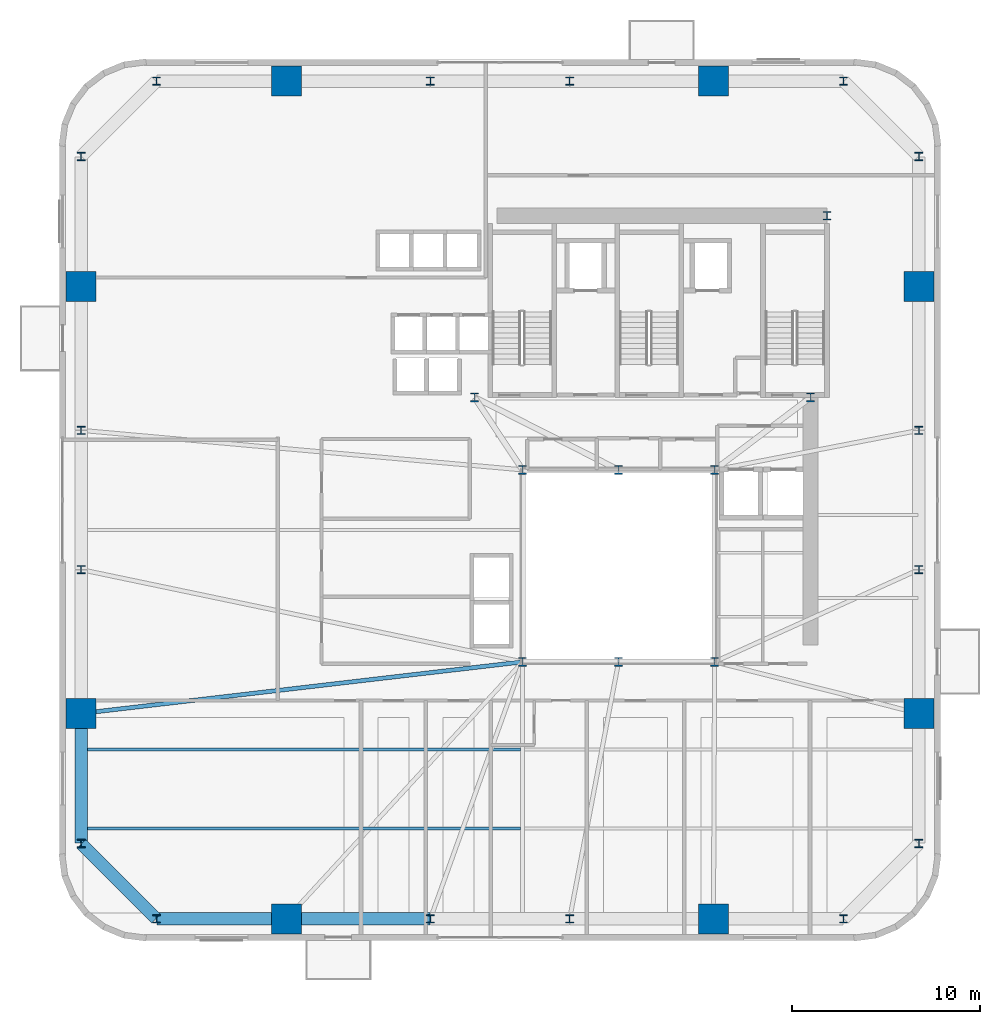
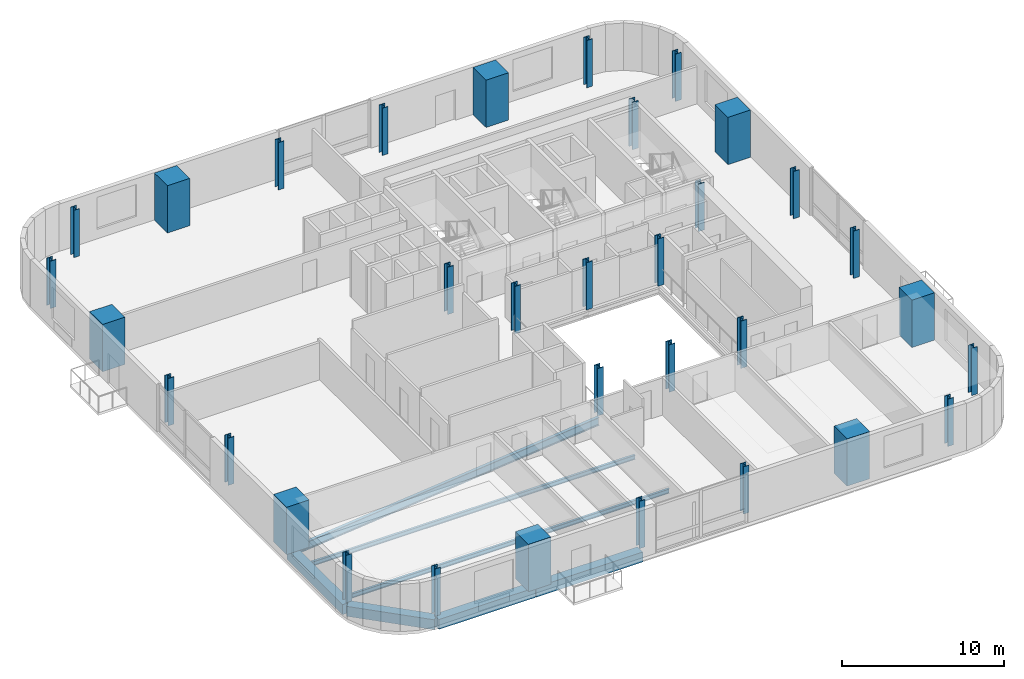
# One storey, part 1 of 14: 33 columns, 7 beams.
"""IFC4 building model written with IfcOpenShell, lengths in metres."""

import ifcopenshell
import ifcopenshell.guid

model = None  # the IFC model being written
_history = None  # IfcOwnerHistory: only IFC2X3 demands one
_inside = {}  # id of a spatial element -> (the spatial element, [elements in it])
_under = {}  # id of a project, library or spatial element -> (it, [spatial elements below it])
_declared = {}  # id of a project -> (the project, [libraries it declares])
_typed = {}  # id of a type object -> (the type object, [elements of that type])
_made_of = {}  # id of a material, layer set ... -> (it, [elements and type objects made of it])


def new_model(schema):
    """Start an empty IFC model of exactly this schema.

    Asked for "IFC4X3", IfcOpenShell would pick the latest addendum, in which some entities
    have other attributes; the version numbers below select the first issue.
    IFC2X3 requires an IfcOwnerHistory on every rooted entity: one is made here for all.
    """
    global model, _history
    if schema == "IFC4X3":
        model = ifcopenshell.file(schema_version=(4, 3, 0, 0))
    else:
        model = ifcopenshell.file(schema=schema)
    _inside.clear()
    _under.clear()
    _declared.clear()
    _typed.clear()
    _made_of.clear()
    _history = None
    if model.schema == "IFC2X3":
        org = make("IfcOrganization", Name="unknown")
        user = make(
            "IfcPersonAndOrganization",
            ThePerson=make("IfcPerson", FamilyName="unknown"),
            TheOrganization=org,
        )
        app = make(
            "IfcApplication",
            ApplicationDeveloper=org,
            Version="unknown",
            ApplicationFullName="unknown",
            ApplicationIdentifier="unknown",
        )
        _history = make(
            "IfcOwnerHistory",
            OwningUser=user,
            OwningApplication=app,
            ChangeAction="ADDED",
            CreationDate=0,
        )
    return model


def make(cls, **values):
    """One entity of the class cls with the attributes given. An attribute that is None is left unset."""
    return model.create_entity(
        cls, **{name: value for name, value in values.items() if value is not None}
    )


def rooted(cls, **values):
    """An entity with a GlobalId (a new one), such as an element, a storey or a relation."""
    return make(cls, GlobalId=ifcopenshell.guid.new(), OwnerHistory=_history, **values)


def si_unit(unit_type, name, prefix=None):
    """IfcSIUnit, for example si_unit("LENGTHUNIT", "METRE", prefix="MILLI")."""
    return make("IfcSIUnit", UnitType=unit_type, Prefix=prefix, Name=name)


def assignment(units):
    """IfcUnitAssignment: the units of a project."""
    return None if units is None else make("IfcUnitAssignment", Units=units)


def point(xyz):
    """IfcCartesianPoint."""
    return None if xyz is None else make("IfcCartesianPoint", Coordinates=xyz)


def direction(xyz):
    """IfcDirection."""
    return None if xyz is None else make("IfcDirection", DirectionRatios=xyz)


def frame(location, z_axis=None, x_axis=None):
    """IfcAxis2Placement3D, a coordinate frame: its origin and axes. An axis left out is left unset."""
    return make(
        "IfcAxis2Placement3D",
        Location=point(location),
        Axis=direction(z_axis),
        RefDirection=direction(x_axis),
    )


def frame_2d(location, x_axis=None):
    """IfcAxis2Placement2D, a coordinate frame in the plane: its origin and x axis."""
    return make(
        "IfcAxis2Placement2D", Location=point(location), RefDirection=direction(x_axis)
    )


def origin():
    """The frame at (0, 0, 0) with its axes left unset."""
    return frame((0.0, 0.0, 0.0))


def origin_2d():
    """The frame at (0, 0) in the plane with its x axis left unset."""
    return frame_2d((0.0, 0.0))


def place(relative_to, where):
    """IfcLocalPlacement: puts the frame where relative to a parent placement (None: the world)."""
    return make(
        "IfcLocalPlacement", PlacementRelTo=relative_to, RelativePlacement=where
    )


def context(
    kind, dimensions, precision=None, world=None, true_north=None, identifier=None
):
    """IfcGeometricRepresentationContext, for example the 3D "Model" context."""
    return make(
        "IfcGeometricRepresentationContext",
        ContextIdentifier=identifier,
        ContextType=kind,
        CoordinateSpaceDimension=dimensions,
        Precision=precision,
        WorldCoordinateSystem=world,
        TrueNorth=true_north,
    )


def subcontext(parent, identifier, kind, view, scale=None):
    """IfcGeometricRepresentationSubContext, for example "Body" below "Model"."""
    return make(
        "IfcGeometricRepresentationSubContext",
        ContextIdentifier=identifier,
        ContextType=kind,
        ParentContext=parent,
        TargetScale=scale,
        TargetView=view,
    )


def project(units=None, contexts=None):
    """IfcProject with its units and contexts."""
    return rooted(
        "IfcProject",
        Name="project",
        RepresentationContexts=contexts,
        UnitsInContext=assignment(units),
    )


def spatial(cls, under=None, at=None, **own):
    """A site, building, storey or space (cls), placed at a placement, below another one or the project."""
    s = rooted(cls, ObjectPlacement=at, **own)
    if under is not None:
        _under.setdefault(under.id(), (under, []))[1].append(s)
    return s


def profile(cls, at=None, kind="AREA", **sizes):
    """A parametric profile (cls). Its sizes go by their IFC names, for example OverallWidth=200.0."""
    return make(cls, ProfileType=kind, Position=at, **sizes)


def rectangle(**sizes):
    """IfcRectangleProfileDef."""
    return profile("IfcRectangleProfileDef", **sizes)


def i_section(**sizes):
    """IfcIShapeProfileDef."""
    return profile("IfcIShapeProfileDef", **sizes)


def extrude(swept, where, along, depth):
    """IfcExtrudedAreaSolid: the profile swept, set in the frame where, extruded along a direction by depth."""
    return make(
        "IfcExtrudedAreaSolid",
        SweptArea=swept,
        Position=where,
        ExtrudedDirection=direction(along),
        Depth=depth,
    )


def shape(context_of_items, identifier, shape_type, items):
    """IfcShapeRepresentation: the items that make up one representation, for example the "Body"."""
    return make(
        "IfcShapeRepresentation",
        ContextOfItems=context_of_items,
        RepresentationIdentifier=identifier,
        RepresentationType=shape_type,
        Items=items,
    )


def source(mapping_origin, context_of_items, identifier, shape_type, items):
    """IfcRepresentationMap: a shape defined once, which mapped items show again and again."""
    return make(
        "IfcRepresentationMap",
        MappingOrigin=mapping_origin,
        MappedRepresentation=shape(context_of_items, identifier, shape_type, items),
    )


def transform(
    local_origin,
    x_axis=None,
    y_axis=None,
    z_axis=None,
    scale=None,
    scale2=None,
    scale3=None,
    uniform=True,
):
    """IfcCartesianTransformationOperator3D, or its non-uniform kind. x_axis, y_axis, z_axis: its Axis1, 2, 3."""
    if uniform:
        return make(
            "IfcCartesianTransformationOperator3D",
            Axis1=direction(x_axis),
            Axis2=direction(y_axis),
            LocalOrigin=point(local_origin),
            Scale=scale,
            Axis3=direction(z_axis),
        )
    return make(
        "IfcCartesianTransformationOperator3DnonUniform",
        Axis1=direction(x_axis),
        Axis2=direction(y_axis),
        LocalOrigin=point(local_origin),
        Scale=scale,
        Axis3=direction(z_axis),
        Scale2=scale2,
        Scale3=scale3,
    )


def mapped(mapping_source, mapping_target):
    """IfcMappedItem: shows the shape of a source again, moved by a transform."""
    return make(
        "IfcMappedItem", MappingSource=mapping_source, MappingTarget=mapping_target
    )


def material(Name=None, Category=None):
    """IfcMaterial."""
    return make("IfcMaterial", Name=Name, Category=Category)


def material_profile(
    of_material, cross_section, Name=None, Category=None, Priority=None
):
    """IfcMaterialProfile: a cross section and its material."""
    return make(
        "IfcMaterialProfile",
        Name=Name,
        Material=of_material,
        Profile=cross_section,
        Priority=Priority,
        Category=Category,
    )


def profile_set(profiles, Name=None, composite=None):
    """IfcMaterialProfileSet."""
    return make(
        "IfcMaterialProfileSet",
        Name=Name,
        MaterialProfiles=profiles,
        CompositeProfile=composite,
    )


def made_of(thing, what):
    """Note that an element or type object is made of a material, layer set ...; save() writes the relation."""
    if what is not None:
        _made_of.setdefault(what.id(), (what, []))[1].append(thing)
    return thing


def type_object(cls, material=None, **own):
    """A type object (cls), such as IfcWallType, which elements share."""
    return made_of(rooted(cls, **own), material)


def element(
    cls,
    number,
    at=None,
    inside=None,
    cuts=None,
    type_object=None,
    material=None,
    context=None,
    identifier="Body",
    shape_type=None,
    held_by="IfcProductDefinitionShape",
    body=None,
    shapes=None,
    **own,
):
    """One element of the class cls, such as IfcWall. Its Tag is "e" and its number.

    at: its placement. inside: the storey or other place that contains it. cuts: it is an
    opening in that element (IfcRelVoidsElement). A single representation is given by context,
    identifier, shape_type and body (its items); several are given by shapes. held_by: the class
    of the entity that holds the representations. save() writes the other relations.
    """
    e = rooted(cls, Tag="e%d" % number, ObjectPlacement=at, **own)
    if body is not None:
        shapes = [shape(context, identifier, shape_type, body)]
    if shapes is not None:
        e.Representation = make(held_by, Representations=shapes)
    if inside is not None:
        _inside.setdefault(inside.id(), (inside, []))[1].append(e)
    if cuts is not None:
        rooted(
            "IfcRelVoidsElement", RelatingBuildingElement=cuts, RelatedOpeningElement=e
        )
    if type_object is not None:
        _typed.setdefault(type_object.id(), (type_object, []))[1].append(e)
    return made_of(e, material)


def aggregate(whole, parts):
    """IfcRelAggregates: a whole, such as a stair, and the parts it consists of."""
    return rooted("IfcRelAggregates", RelatingObject=whole, RelatedObjects=parts)


def save(model, path):
    """Write the relations noted so far, then the file.

    IfcRelAggregates (storeys below a building ...), IfcRelContainedInSpatialStructure (elements
    in a storey), IfcRelDefinesByType, IfcRelAssociatesMaterial and IfcRelDeclares: one each for
    every whole, place, type object, material and project.
    """
    for whole, parts in _under.values():
        aggregate(whole, parts)
    for where, things in _inside.values():
        rooted(
            "IfcRelContainedInSpatialStructure",
            RelatedElements=things,
            RelatingStructure=where,
        )
    for kind, things in _typed.values():
        rooted("IfcRelDefinesByType", RelatedObjects=things, RelatingType=kind)
    for what, things in _made_of.values():
        rooted("IfcRelAssociatesMaterial", RelatedObjects=things, RelatingMaterial=what)
    for by, libraries in _declared.values():
        rooted("IfcRelDeclares", RelatingContext=by, RelatedDefinitions=libraries)
    model.write(path)


model = new_model("IFC4")

# Units and contexts
model_context = context("Model", 3, precision=1e-05, world=origin(), true_north=direction((0.0, 1.0)))
body_context = subcontext(model_context, "Body", "Model", "MODEL_VIEW")
ifc_project = project(units=[si_unit("LENGTHUNIT", "METRE"), si_unit("AREAUNIT", "SQUARE_METRE"), si_unit("VOLUMEUNIT", "CUBIC_METRE"), si_unit("PLANEANGLEUNIT", "RADIAN"), si_unit("MASSUNIT", "GRAM", prefix="KILO")], contexts=[model_context])

# Site, building, storey
site_placement = place(None, origin())
site = spatial("IfcSite", under=ifc_project, at=site_placement, CompositionType="ELEMENT")
building_placement = place(site_placement, origin())
building = spatial("IfcBuilding", under=site, at=building_placement, Name="Vardaveli Station Tower", CompositionType="ELEMENT")
storey_placement = place(building_placement, frame((0.0, 0.0, 103.699951171875)))
storey = spatial("IfcBuildingStorey", under=building, at=storey_placement, Name="L26", CompositionType="ELEMENT", Elevation=103.699951171875)

# Columns
ifc_material_1 = material(Name="Structural steel S460M", Category="steel")
ifc_material_profile_1 = material_profile(ifc_material_1, i_section(OverallWidth=0.424072265625, OverallDepth=0.465087890625, WebThickness=0.034912109375, FlangeThickness=0.055908203125, FilletRadius=0.014892578125, at=origin_2d()), Name="HD 400x592")
ifc_profile_set_1 = profile_set([ifc_material_profile_1], Name="Structural steel S460M")
column_type_1 = type_object("IfcColumnType", Name="COL-HD592", PredefinedType="COLUMN", material=ifc_profile_set_1)
shared_shape_1 = source(origin(), body_context, "Body", "SweptSolid", [
    extrude(i_section(OverallWidth=0.424072265625, OverallDepth=0.465087890625, WebThickness=0.034912109375, FlangeThickness=0.055908203125, FilletRadius=0.014892578125, at=origin_2d()), origin(), (0.0, 0.0, 1.0), 3.56005859375),
])
for number, where, z_axis, x_axis, name in (
    (1, (31.199951171875, 16.60009765625, 0.0), (0.0, 0.0, 1.0), (1.0, 0.0, 0.0), "COL-L26-AC1"),
    (2, (36.300048828125, 16.60009765625, 0.0), (0.0, 0.0, 1.0), (1.0, 0.0, 0.0), "COL-L26-AC2"),
    (3, (41.39990234375, 16.60009765625, 0.0), (0.0, 0.0, 1.0), (1.0, 0.0, 0.0), "COL-L26-AC3"),
    (4, (41.39990234375, 26.800048828125, 0.0), (0.0, 0.0, 1.0), (1.0, 0.0, 0.0), "COL-L26-AC4"),
    (5, (36.300048828125, 26.800048828125, 0.0), (0.0, 0.0, 1.0), (1.0, 0.0, 0.0), "COL-L26-AC5"),
    (6, (31.199951171875, 26.800048828125, 0.0), (0.0, 0.0, 1.0), (1.0, 0.0, 0.0), "COL-L26-AC6"),
    (7, (28.64990234375, 30.64990234375, 0.0), (0.0, 0.0, 1.0), (1.0, 0.0, 0.0), "COL-L26-CC1"),
    (8, (46.5, 30.64990234375, 0.0), (0.0, 0.0, 1.0), (1.0, 0.0, 0.0), "COL-L26-CC2"),
    (9, (47.3701171875, 40.300048828125, 0.0), (0.0, 0.0, 1.0), (1.0, 0.0, 0.0), "COL-L26-CC3"),
):
    element("IfcColumn", number, at=place(storey_placement, frame(where, z_axis=z_axis, x_axis=x_axis)), inside=storey, type_object=column_type_1, Name=name, PredefinedType="COLUMN", context=body_context, shape_type="MappedRepresentation", body=[
        mapped(shared_shape_1, transform((0.0, 0.0, 0.0), scale=1.0)),
    ])
ifc_material_2 = material(Name="Concrete C60/75", Category="concrete")
ifc_material_profile_2 = material_profile(ifc_material_2, rectangle(XDim=1.60009765625, YDim=1.60009765625, at=origin_2d()), Name="MC 1600x1600")
ifc_profile_set_2 = profile_set([ifc_material_profile_2], Name="Concrete C60/75")
column_type_2 = type_object("IfcColumnType", Name="COL-MC-1600", PredefinedType="COLUMN", material=ifc_profile_set_2)
shared_shape_2 = source(origin(), body_context, "Body", "SweptSolid", [
    extrude(rectangle(XDim=1.60009765625, YDim=1.60009765625, at=origin_2d()), origin(), (0.0, 0.0, 1.0), 3.56005859375),
])
for number, where, z_axis, x_axis, name in (
    (10, (18.659912109375, 2.949951171875, 0.0), (0.0, 0.0, 1.0), (1.0, 0.0, 0.0), "COL-L26-MC1"),
    (11, (41.340087890625, 2.949951171875, 0.0), (0.0, 0.0, 1.0), (1.0, 0.0, 0.0), "COL-L26-MC2"),
    (12, (52.25, 13.860107421875, 0.0), (0.0, 0.0, 1.0), (1.0, 0.0, 0.0), "COL-L26-MC3"),
    (13, (52.25, 36.5400390625, 0.0), (0.0, 0.0, 1.0), (1.0, 0.0, 0.0), "COL-L26-MC4"),
    (14, (41.340087890625, 47.449951171875, 0.0), (0.0, 0.0, 1.0), (1.0, 0.0, 0.0), "COL-L26-MC5"),
    (15, (18.659912109375, 47.449951171875, 0.0), (0.0, 0.0, 1.0), (1.0, 0.0, 0.0), "COL-L26-MC6"),
    (16, (7.75, 36.5400390625, 0.0), (0.0, 0.0, 1.0), (1.0, 0.0, 0.0), "COL-L26-MC7"),
    (17, (7.75, 13.860107421875, 0.0), (0.0, 0.0, 1.0), (1.0, 0.0, 0.0), "COL-L26-MC8"),
):
    element("IfcColumn", number, at=place(storey_placement, frame(where, z_axis=z_axis, x_axis=x_axis)), inside=storey, type_object=column_type_2, Name=name, PredefinedType="COLUMN", context=body_context, shape_type="MappedRepresentation", body=[
        mapped(shared_shape_2, transform((0.0, 0.0, 0.0), scale=1.0)),
    ])
ifc_material_profile_3 = material_profile(ifc_material_1, i_section(OverallWidth=0.4140625, OverallDepth=0.431884765625, WebThickness=0.025634765625, FlangeThickness=0.0400390625, FilletRadius=0.014892578125, at=origin_2d()), Name="HD 400x421")
ifc_profile_set_3 = profile_set([ifc_material_profile_3], Name="Structural steel S460M")
column_type_3 = type_object("IfcColumnType", Name="COL-HD421", PredefinedType="COLUMN", material=ifc_profile_set_3)
shared_shape_3 = source(origin(), body_context, "Body", "SweptSolid", [
    extrude(i_section(OverallWidth=0.4140625, OverallDepth=0.431884765625, WebThickness=0.025634765625, FlangeThickness=0.0400390625, FilletRadius=0.014892578125, at=origin_2d()), origin(), (0.0, 0.0, 1.0), 3.56005859375),
])
for number, where, z_axis, x_axis, name in (
    (18, (11.75, 2.949951171875, 0.0), (0.0, 0.0, 1.0), (1.0, 0.0, 0.0), "COL-L26-PC01"),
    (19, (26.300048828125, 2.949951171875, 0.0), (0.0, 0.0, 1.0), (1.0, 0.0, 0.0), "COL-L26-PC02"),
    (20, (33.699951171875, 2.949951171875, 0.0), (0.0, 0.0, 1.0), (1.0, 0.0, 0.0), "COL-L26-PC03"),
    (21, (48.25, 2.949951171875, 0.0), (0.0, 0.0, 1.0), (1.0, 0.0, 0.0), "COL-L26-PC04"),
    (22, (52.25, 6.949951171875, 0.0), (0.0, 0.0, 1.0), (1.0, 0.0, 0.0), "COL-L26-PC05"),
    (23, (52.25, 21.5, 0.0), (0.0, 0.0, 1.0), (1.0, 0.0, 0.0), "COL-L26-PC06"),
    (24, (52.25, 28.89990234375, 0.0), (0.0, 0.0, 1.0), (1.0, 0.0, 0.0), "COL-L26-PC07"),
    (25, (52.25, 43.449951171875, 0.0), (0.0, 0.0, 1.0), (1.0, 0.0, 0.0), "COL-L26-PC08"),
    (26, (48.25, 47.449951171875, 0.0), (0.0, 0.0, 1.0), (1.0, 0.0, 0.0), "COL-L26-PC09"),
    (27, (33.699951171875, 47.449951171875, 0.0), (0.0, 0.0, 1.0), (1.0, 0.0, 0.0), "COL-L26-PC10"),
    (28, (26.300048828125, 47.449951171875, 0.0), (0.0, 0.0, 1.0), (1.0, 0.0, 0.0), "COL-L26-PC11"),
    (29, (11.75, 47.449951171875, 0.0), (0.0, 0.0, 1.0), (1.0, 0.0, 0.0), "COL-L26-PC12"),
    (30, (7.75, 43.449951171875, 0.0), (0.0, 0.0, 1.0), (1.0, 0.0, 0.0), "COL-L26-PC13"),
    (31, (7.75, 28.89990234375, 0.0), (0.0, 0.0, 1.0), (1.0, 0.0, 0.0), "COL-L26-PC14"),
    (32, (7.75, 21.5, 0.0), (0.0, 0.0, 1.0), (1.0, 0.0, 0.0), "COL-L26-PC15"),
    (33, (7.75, 6.949951171875, 0.0), (0.0, 0.0, 1.0), (1.0, 0.0, 0.0), "COL-L26-PC16"),
):
    element("IfcColumn", number, at=place(storey_placement, frame(where, z_axis=z_axis, x_axis=x_axis)), inside=storey, type_object=column_type_3, Name=name, PredefinedType="COLUMN", context=body_context, shape_type="MappedRepresentation", body=[
        mapped(shared_shape_3, transform((0.0, 0.0, 0.0), scale=1.0)),
    ])

# Beams
ifc_material_3 = material(Name="Precast concrete C45/55", Category="concrete")
ifc_material_profile_4 = material_profile(ifc_material_3, rectangle(XDim=0.64990234375, YDim=0.75, at=origin_2d()), Name="LPB 650x750")
ifc_profile_set_4 = profile_set([ifc_material_profile_4], Name="Precast concrete C45/55")
beam_type_1 = type_object("IfcBeamType", Name="BM-LPB-750", PredefinedType="BEAM", material=ifc_profile_set_4)
shared_shape_4 = source(origin(), body_context, "Body", "SweptSolid", [
    extrude(rectangle(XDim=0.64990234375, YDim=0.75, at=origin_2d()), origin(), (0.0, 0.0, 1.0), 7.60009765625),
])
beam_1_placement = place(storey_placement, frame((18.679931640625, 2.949951171875, -0.614990234375), z_axis=(1.0, 0.0, 0.0), x_axis=(0.0, 1.0, 0.0)))
element("IfcBeam", 34, at=beam_1_placement, inside=storey, type_object=beam_type_1, Name="RBM-L26-01", PredefinedType="BEAM", context=body_context, shape_type="MappedRepresentation", body=[
    mapped(shared_shape_4, transform((0.0, 0.0, 0.0), scale=1.0)),
])
shared_shape_5 = source(origin(), body_context, "Body", "SweptSolid", [
    extrude(rectangle(XDim=0.64990234375, YDim=0.75, at=origin_2d()), origin(), (0.0, 0.0, 1.0), 6.869873046875),
])
beam_2_placement = place(storey_placement, frame((11.77001953125, 2.949951171875, -0.614990234375), z_axis=(1.0, 0.0, 0.0), x_axis=(0.0, 1.0, 0.0)))
element("IfcBeam", 35, at=beam_2_placement, inside=storey, type_object=beam_type_1, Name="RBM-L26-24", PredefinedType="BEAM", context=body_context, shape_type="MappedRepresentation", body=[
    mapped(shared_shape_5, transform((0.0, 0.0, 0.0), scale=1.0)),
])
shared_shape_6 = source(origin(), body_context, "Body", "SweptSolid", [
    extrude(rectangle(XDim=0.64990234375, YDim=0.75, at=origin_2d()), origin(), (0.0, 0.0, 1.0), 5.61669921875),
])
beam_3_placement = place(storey_placement, frame((7.76416015625, 6.935791015625, -0.614990234375), z_axis=(0.707106781187, -0.707106781187, 0.0), x_axis=(0.707106781187, 0.707106781187, 0.0)))
element("IfcBeam", 36, at=beam_3_placement, inside=storey, type_object=beam_type_1, Name="RBM-L26-23", PredefinedType="BEAM", context=body_context, shape_type="MappedRepresentation", body=[
    mapped(shared_shape_6, transform((0.0, 0.0, 0.0), scale=1.0)),
])
shared_shape_7 = source(origin(), body_context, "Body", "SweptSolid", [
    extrude(rectangle(XDim=0.64990234375, YDim=0.75, at=origin_2d()), origin(), (0.0, 0.0, 1.0), 6.8701171875),
])
beam_4_placement = place(storey_placement, frame((7.75, 13.840087890625, -0.614990234375), z_axis=(0.0, -1.0, 0.0), x_axis=(1.0, 0.0, 0.0)))
element("IfcBeam", 37, at=beam_4_placement, inside=storey, type_object=beam_type_1, Name="RBM-L26-22", PredefinedType="BEAM", context=body_context, shape_type="MappedRepresentation", body=[
    mapped(shared_shape_7, transform((0.0, 0.0, 0.0), scale=1.0)),
])
ifc_material_4 = material(Name="Structural steel S355J2", Category="steel")
ifc_material_profile_5 = material_profile(ifc_material_4, i_section(OverallWidth=0.159912109375, OverallDepth=0.330078125, WebThickness=0.007568359375, FlangeThickness=0.011474609375, FilletRadius=0.01806640625, at=origin_2d()), Name="IPE 330")
ifc_profile_set_5 = profile_set([ifc_material_profile_5], Name="Structural steel S355J2")
beam_type_2 = type_object("IfcBeamType", Name="BM-IPE330", PredefinedType="JOIST", material=ifc_profile_set_5)
shared_shape_8 = source(origin(), body_context, "Body", "SweptSolid", [
    extrude(i_section(OverallWidth=0.159912109375, OverallDepth=0.330078125, WebThickness=0.007568359375, FlangeThickness=0.011474609375, FilletRadius=0.01806640625, at=origin_2d()), origin(), (0.0, 0.0, 1.0), 23.2978515625),
])
for number, where, z_axis, x_axis, name in (
    (38, (7.7900390625, 7.75, -0.405029296875), (1.0, 0.0, 0.0), (0.0, 1.0, 0.0), "SJ-L26-S01"),
    (39, (7.7900390625, 11.949951171875, -0.405029296875), (1.0, 0.0, 0.0), (0.0, 1.0, 0.0), "SJ-L26-S03"),
):
    element("IfcBeam", number, at=place(storey_placement, frame(where, z_axis=z_axis, x_axis=x_axis)), inside=storey, type_object=beam_type_2, Name=name, PredefinedType="JOIST", context=body_context, shape_type="MappedRepresentation", body=[
        mapped(shared_shape_8, transform((0.0, 0.0, 0.0), scale=1.0)),
    ])
ifc_material_profile_6 = material_profile(ifc_material_4, i_section(OverallWidth=0.219970703125, OverallDepth=0.60009765625, WebThickness=0.011962890625, FlangeThickness=0.01904296875, FilletRadius=0.02392578125, at=origin_2d()), Name="IPE 600")
ifc_profile_set_6 = profile_set([ifc_material_profile_6], Name="Structural steel S355J2")
beam_type_3 = type_object("IfcBeamType", Name="BM-IPE600", PredefinedType="BEAM", material=ifc_profile_set_6)
shared_shape_9 = source(origin(), body_context, "Body", "SweptSolid", [
    extrude(i_section(OverallWidth=0.219970703125, OverallDepth=0.60009765625, WebThickness=0.011962890625, FlangeThickness=0.01904296875, FilletRadius=0.02392578125, at=origin_2d()), origin(), (0.0, 0.0, 1.0), 23.569580078125),
])
beam_5_placement = place(storey_placement, frame((7.769775390625, 13.8623046875, -0.5400390625), z_axis=(0.993242915589, 0.11605391261, 0.0), x_axis=(-0.11605391261, 0.993242915589, 0.0)))
element("IfcBeam", 40, at=beam_5_placement, inside=storey, type_object=beam_type_3, Name="GBM-L26-10", PredefinedType="BEAM", context=body_context, shape_type="MappedRepresentation", body=[
    mapped(shared_shape_9, transform((0.0, 0.0, 0.0), scale=1.0)),
])

save(model, "model.ifc")
